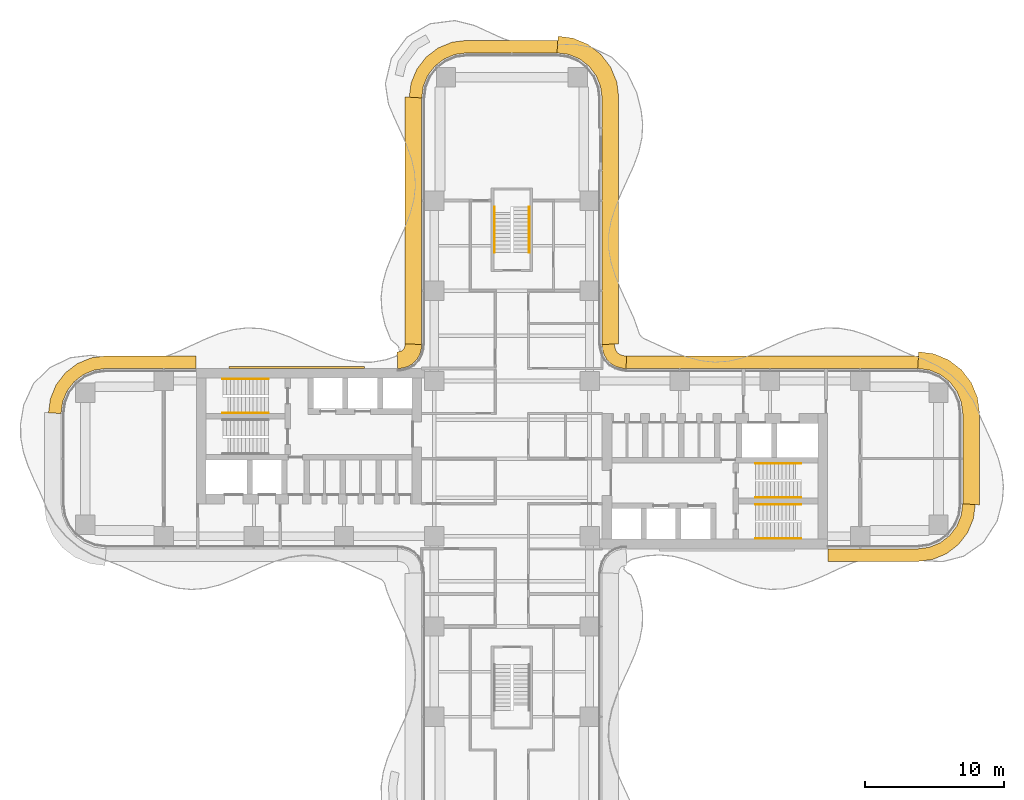
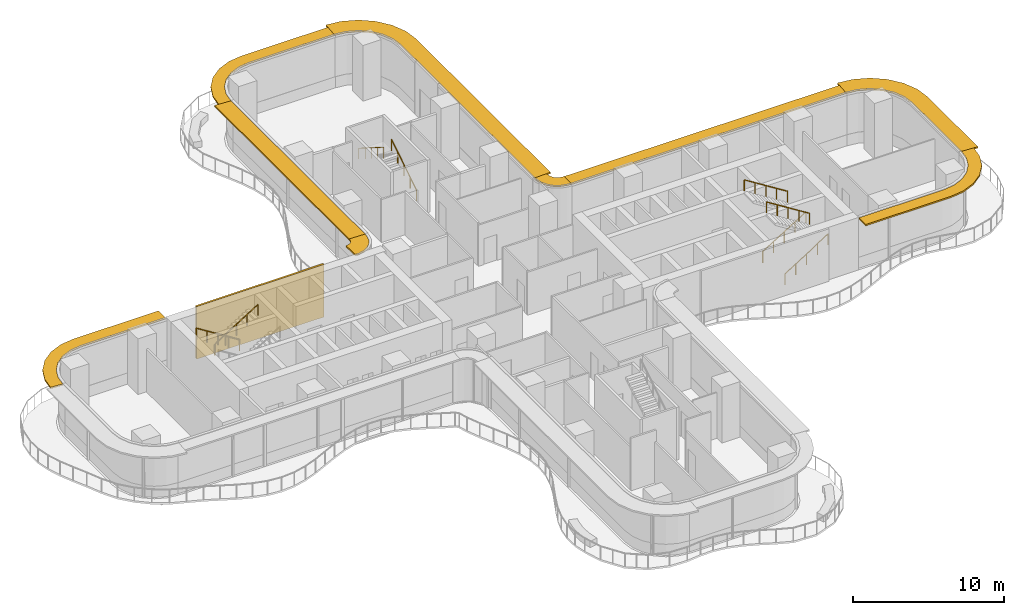
# One storey, part 22 of 22: 9 shading devices, 8 railings, 1 covering.
"""IFC4 building model written with IfcOpenShell, lengths in metres."""

import ifcopenshell
import ifcopenshell.guid

model = None  # the IFC model being written
_history = None  # IfcOwnerHistory: only IFC2X3 demands one
_inside = {}  # id of a spatial element -> (the spatial element, [elements in it])
_under = {}  # id of a project, library or spatial element -> (it, [spatial elements below it])
_declared = {}  # id of a project -> (the project, [libraries it declares])
_typed = {}  # id of a type object -> (the type object, [elements of that type])
_made_of = {}  # id of a material, layer set ... -> (it, [elements and type objects made of it])


def new_model(schema):
    """Start an empty IFC model of exactly this schema.

    Asked for "IFC4X3", IfcOpenShell would pick the latest addendum, in which some entities
    have other attributes; the version numbers below select the first issue.
    IFC2X3 requires an IfcOwnerHistory on every rooted entity: one is made here for all.
    """
    global model, _history
    if schema == "IFC4X3":
        model = ifcopenshell.file(schema_version=(4, 3, 0, 0))
    else:
        model = ifcopenshell.file(schema=schema)
    _inside.clear()
    _under.clear()
    _declared.clear()
    _typed.clear()
    _made_of.clear()
    _history = None
    if model.schema == "IFC2X3":
        org = make("IfcOrganization", Name="unknown")
        user = make(
            "IfcPersonAndOrganization",
            ThePerson=make("IfcPerson", FamilyName="unknown"),
            TheOrganization=org,
        )
        app = make(
            "IfcApplication",
            ApplicationDeveloper=org,
            Version="unknown",
            ApplicationFullName="unknown",
            ApplicationIdentifier="unknown",
        )
        _history = make(
            "IfcOwnerHistory",
            OwningUser=user,
            OwningApplication=app,
            ChangeAction="ADDED",
            CreationDate=0,
        )
    return model


def make(cls, **values):
    """One entity of the class cls with the attributes given. An attribute that is None is left unset."""
    return model.create_entity(
        cls, **{name: value for name, value in values.items() if value is not None}
    )


def rooted(cls, **values):
    """An entity with a GlobalId (a new one), such as an element, a storey or a relation."""
    return make(cls, GlobalId=ifcopenshell.guid.new(), OwnerHistory=_history, **values)


def si_unit(unit_type, name, prefix=None):
    """IfcSIUnit, for example si_unit("LENGTHUNIT", "METRE", prefix="MILLI")."""
    return make("IfcSIUnit", UnitType=unit_type, Prefix=prefix, Name=name)


def assignment(units):
    """IfcUnitAssignment: the units of a project."""
    return None if units is None else make("IfcUnitAssignment", Units=units)


def point(xyz):
    """IfcCartesianPoint."""
    return None if xyz is None else make("IfcCartesianPoint", Coordinates=xyz)


def direction(xyz):
    """IfcDirection."""
    return None if xyz is None else make("IfcDirection", DirectionRatios=xyz)


def frame(location, z_axis=None, x_axis=None):
    """IfcAxis2Placement3D, a coordinate frame: its origin and axes. An axis left out is left unset."""
    return make(
        "IfcAxis2Placement3D",
        Location=point(location),
        Axis=direction(z_axis),
        RefDirection=direction(x_axis),
    )


def frame_2d(location, x_axis=None):
    """IfcAxis2Placement2D, a coordinate frame in the plane: its origin and x axis."""
    return make(
        "IfcAxis2Placement2D", Location=point(location), RefDirection=direction(x_axis)
    )


def origin():
    """The frame at (0, 0, 0) with its axes left unset."""
    return frame((0.0, 0.0, 0.0))


def origin_2d():
    """The frame at (0, 0) in the plane with its x axis left unset."""
    return frame_2d((0.0, 0.0))


def place(relative_to, where):
    """IfcLocalPlacement: puts the frame where relative to a parent placement (None: the world)."""
    return make(
        "IfcLocalPlacement", PlacementRelTo=relative_to, RelativePlacement=where
    )


def context(
    kind, dimensions, precision=None, world=None, true_north=None, identifier=None
):
    """IfcGeometricRepresentationContext, for example the 3D "Model" context."""
    return make(
        "IfcGeometricRepresentationContext",
        ContextIdentifier=identifier,
        ContextType=kind,
        CoordinateSpaceDimension=dimensions,
        Precision=precision,
        WorldCoordinateSystem=world,
        TrueNorth=true_north,
    )


def subcontext(parent, identifier, kind, view, scale=None):
    """IfcGeometricRepresentationSubContext, for example "Body" below "Model"."""
    return make(
        "IfcGeometricRepresentationSubContext",
        ContextIdentifier=identifier,
        ContextType=kind,
        ParentContext=parent,
        TargetScale=scale,
        TargetView=view,
    )


def project(units=None, contexts=None):
    """IfcProject with its units and contexts."""
    return rooted(
        "IfcProject",
        Name="project",
        RepresentationContexts=contexts,
        UnitsInContext=assignment(units),
    )


def spatial(cls, under=None, at=None, **own):
    """A site, building, storey or space (cls), placed at a placement, below another one or the project."""
    s = rooted(cls, ObjectPlacement=at, **own)
    if under is not None:
        _under.setdefault(under.id(), (under, []))[1].append(s)
    return s


def polyline(points):
    """IfcPolyline through the points."""
    return make("IfcPolyline", Points=[point(p) for p in points])


def profile(cls, at=None, kind="AREA", **sizes):
    """A parametric profile (cls). Its sizes go by their IFC names, for example OverallWidth=200.0."""
    return make(cls, ProfileType=kind, Position=at, **sizes)


def circle(**sizes):
    """IfcCircleProfileDef."""
    return profile("IfcCircleProfileDef", **sizes)


def outline(outer, holes=None, kind="AREA"):
    """IfcArbitraryClosedProfileDef: a profile drawn as a closed curve; with holes, ...WithVoids."""
    if holes is None:
        return make("IfcArbitraryClosedProfileDef", ProfileType=kind, OuterCurve=outer)
    return make(
        "IfcArbitraryProfileDefWithVoids",
        ProfileType=kind,
        OuterCurve=outer,
        InnerCurves=holes,
    )


def extrude(swept, where, along, depth):
    """IfcExtrudedAreaSolid: the profile swept, set in the frame where, extruded along a direction by depth."""
    return make(
        "IfcExtrudedAreaSolid",
        SweptArea=swept,
        Position=where,
        ExtrudedDirection=direction(along),
        Depth=depth,
    )


def shape(context_of_items, identifier, shape_type, items):
    """IfcShapeRepresentation: the items that make up one representation, for example the "Body"."""
    return make(
        "IfcShapeRepresentation",
        ContextOfItems=context_of_items,
        RepresentationIdentifier=identifier,
        RepresentationType=shape_type,
        Items=items,
    )


def source(mapping_origin, context_of_items, identifier, shape_type, items):
    """IfcRepresentationMap: a shape defined once, which mapped items show again and again."""
    return make(
        "IfcRepresentationMap",
        MappingOrigin=mapping_origin,
        MappedRepresentation=shape(context_of_items, identifier, shape_type, items),
    )


def transform(
    local_origin,
    x_axis=None,
    y_axis=None,
    z_axis=None,
    scale=None,
    scale2=None,
    scale3=None,
    uniform=True,
):
    """IfcCartesianTransformationOperator3D, or its non-uniform kind. x_axis, y_axis, z_axis: its Axis1, 2, 3."""
    if uniform:
        return make(
            "IfcCartesianTransformationOperator3D",
            Axis1=direction(x_axis),
            Axis2=direction(y_axis),
            LocalOrigin=point(local_origin),
            Scale=scale,
            Axis3=direction(z_axis),
        )
    return make(
        "IfcCartesianTransformationOperator3DnonUniform",
        Axis1=direction(x_axis),
        Axis2=direction(y_axis),
        LocalOrigin=point(local_origin),
        Scale=scale,
        Axis3=direction(z_axis),
        Scale2=scale2,
        Scale3=scale3,
    )


def mapped(mapping_source, mapping_target):
    """IfcMappedItem: shows the shape of a source again, moved by a transform."""
    return make(
        "IfcMappedItem", MappingSource=mapping_source, MappingTarget=mapping_target
    )


def material(Name=None, Category=None):
    """IfcMaterial."""
    return make("IfcMaterial", Name=Name, Category=Category)


def layer(
    of_material, thickness, ventilated=None, Name=None, Category=None, Priority=None
):
    """IfcMaterialLayer: one layer of a wall or slab, of a material (None: an air gap)."""
    return make(
        "IfcMaterialLayer",
        Material=of_material,
        LayerThickness=thickness,
        IsVentilated=ventilated,
        Name=Name,
        Category=Category,
        Priority=Priority,
    )


def layer_set(layers, Name=None):
    """IfcMaterialLayerSet."""
    return make("IfcMaterialLayerSet", MaterialLayers=layers, LayerSetName=Name)


def made_of(thing, what):
    """Note that an element or type object is made of a material, layer set ...; save() writes the relation."""
    if what is not None:
        _made_of.setdefault(what.id(), (what, []))[1].append(thing)
    return thing


def type_object(cls, material=None, **own):
    """A type object (cls), such as IfcWallType, which elements share."""
    return made_of(rooted(cls, **own), material)


def element(
    cls,
    number,
    at=None,
    inside=None,
    cuts=None,
    type_object=None,
    material=None,
    context=None,
    identifier="Body",
    shape_type=None,
    held_by="IfcProductDefinitionShape",
    body=None,
    shapes=None,
    **own,
):
    """One element of the class cls, such as IfcWall. Its Tag is "e" and its number.

    at: its placement. inside: the storey or other place that contains it. cuts: it is an
    opening in that element (IfcRelVoidsElement). A single representation is given by context,
    identifier, shape_type and body (its items); several are given by shapes. held_by: the class
    of the entity that holds the representations. save() writes the other relations.
    """
    e = rooted(cls, Tag="e%d" % number, ObjectPlacement=at, **own)
    if body is not None:
        shapes = [shape(context, identifier, shape_type, body)]
    if shapes is not None:
        e.Representation = make(held_by, Representations=shapes)
    if inside is not None:
        _inside.setdefault(inside.id(), (inside, []))[1].append(e)
    if cuts is not None:
        rooted(
            "IfcRelVoidsElement", RelatingBuildingElement=cuts, RelatedOpeningElement=e
        )
    if type_object is not None:
        _typed.setdefault(type_object.id(), (type_object, []))[1].append(e)
    return made_of(e, material)


def aggregate(whole, parts):
    """IfcRelAggregates: a whole, such as a stair, and the parts it consists of."""
    return rooted("IfcRelAggregates", RelatingObject=whole, RelatedObjects=parts)


def save(model, path):
    """Write the relations noted so far, then the file.

    IfcRelAggregates (storeys below a building ...), IfcRelContainedInSpatialStructure (elements
    in a storey), IfcRelDefinesByType, IfcRelAssociatesMaterial and IfcRelDeclares: one each for
    every whole, place, type object, material and project.
    """
    for whole, parts in _under.values():
        aggregate(whole, parts)
    for where, things in _inside.values():
        rooted(
            "IfcRelContainedInSpatialStructure",
            RelatedElements=things,
            RelatingStructure=where,
        )
    for kind, things in _typed.values():
        rooted("IfcRelDefinesByType", RelatedObjects=things, RelatingType=kind)
    for what, things in _made_of.values():
        rooted("IfcRelAssociatesMaterial", RelatedObjects=things, RelatingMaterial=what)
    for by, libraries in _declared.values():
        rooted("IfcRelDeclares", RelatingContext=by, RelatedDefinitions=libraries)
    model.write(path)


model = new_model("IFC4")

# Units and contexts
model_context = context("Model", 3, precision=1e-05, world=origin(), true_north=direction((0.0, 1.0)))
body_context = subcontext(model_context, "Body", "Model", "MODEL_VIEW")
ifc_project = project(units=[si_unit("LENGTHUNIT", "METRE"), si_unit("AREAUNIT", "SQUARE_METRE"), si_unit("VOLUMEUNIT", "CUBIC_METRE"), si_unit("PLANEANGLEUNIT", "RADIAN"), si_unit("MASSUNIT", "GRAM", prefix="KILO")], contexts=[model_context])

# Site, building, storey
site_placement = place(None, origin())
site = spatial("IfcSite", under=ifc_project, at=site_placement, CompositionType="ELEMENT")
building_placement = place(site_placement, origin())
building = spatial("IfcBuilding", under=site, at=building_placement, Name="Trellis Farm Tower", CompositionType="ELEMENT")
storey_placement = place(building_placement, frame((0.0, 0.0, 47.5)))
storey = spatial("IfcBuildingStorey", under=building, at=storey_placement, Name="L09", CompositionType="ELEMENT", Elevation=47.5)

# Railings
ifc_material_1 = material(Name="Stainless steel", Category="steel")
railing_type = type_object("IfcRailingType", Name="STAIR HANDRAIL 900", PredefinedType="HANDRAIL", material=ifc_material_1)
shared_shape_1 = source(origin(), body_context, "Body", "SweptSolid", [
    extrude(circle(Radius=0.02392578125, at=origin_2d()), frame((0.0, 0.0, 0.8759765625), z_axis=(0.0, 0.846319618018, 0.532675421018), x_axis=(-1.0, 0.0, 0.0)), (0.0, 0.0, 1.0), 3.89892578125),
    extrude(circle(Radius=0.02099609375, at=origin_2d()), origin(), (0.0, 0.0, 1.0), 0.851806640625),
    extrude(circle(Radius=0.02099609375, at=origin_2d()), frame((0.0, 0.824951171875, 0.519287109375)), (0.0, 0.0, 1.0), 0.851806640625),
    extrude(circle(Radius=0.02099609375, at=origin_2d()), frame((0.0, 1.64990234375, 1.03857421875)), (0.0, 0.0, 1.0), 0.851806640625),
    extrude(circle(Radius=0.02099609375, at=origin_2d()), frame((0.0, 2.474853515625, 1.5576171875)), (0.0, 0.0, 1.0), 0.851806640625),
    extrude(circle(Radius=0.02099609375, at=origin_2d()), frame((0.0, 3.2998046875, 2.076904296875)), (0.0, 0.0, 1.0), 0.851806640625),
])
railing_1_placement = place(storey_placement, frame((1.25, 14.85009765625, 0.173095703125)))
element("IfcRailing", 1, at=railing_1_placement, inside=storey, type_object=railing_type, Name="Stair handrail", PredefinedType="HANDRAIL", context=body_context, shape_type="MappedRepresentation", body=[
    mapped(shared_shape_1, transform((0.0, 0.0, 0.0))),
])
shared_shape_2 = source(origin(), body_context, "Body", "SweptSolid", [
    extrude(circle(Radius=0.02392578125, at=origin_2d()), frame((0.0, 0.0, 0.8759765625), z_axis=(0.0, -0.846319618018, 0.532675421018), x_axis=(1.0, 0.0, 0.0)), (0.0, 0.0, 1.0), 3.89892578125),
    extrude(circle(Radius=0.02099609375, at=origin_2d()), origin(), (0.0, 0.0, 1.0), 0.851806640625),
    extrude(circle(Radius=0.02099609375, at=origin_2d()), frame((0.0, -0.824951171875, 0.519287109375)), (0.0, 0.0, 1.0), 0.851806640625),
    extrude(circle(Radius=0.02099609375, at=origin_2d()), frame((0.0, -1.64990234375, 1.03857421875)), (0.0, 0.0, 1.0), 0.851806640625),
    extrude(circle(Radius=0.02099609375, at=origin_2d()), frame((0.0, -2.474853515625, 1.5576171875)), (0.0, 0.0, 1.0), 0.851806640625),
    extrude(circle(Radius=0.02099609375, at=origin_2d()), frame((0.0, -3.2998046875, 2.076904296875)), (0.0, 0.0, 1.0), 0.851806640625),
])
railing_2_placement = place(storey_placement, frame((-1.25, 18.14990234375, 2.423095703125)))
element("IfcRailing", 2, at=railing_2_placement, inside=storey, type_object=railing_type, Name="Stair handrail", PredefinedType="HANDRAIL", context=body_context, shape_type="MappedRepresentation", body=[
    mapped(shared_shape_2, transform((0.0, 0.0, 0.0))),
])
shared_shape_3 = source(origin(), body_context, "Body", "SweptSolid", [
    extrude(circle(Radius=0.02392578125, at=origin_2d()), frame((0.0, 0.0, 0.8759765625), z_axis=(0.846337383501, 0.0, 0.532647194011), x_axis=(0.0, 1.0, 0.0)), (0.0, 0.0, 1.0), 3.899169921875),
    extrude(circle(Radius=0.02099609375, at=origin_2d()), origin(), (0.0, 0.0, 1.0), 0.851806640625),
    extrude(circle(Radius=0.02099609375, at=origin_2d()), frame((0.824951171875, 0.0, 0.519287109375)), (0.0, 0.0, 1.0), 0.851806640625),
    extrude(circle(Radius=0.02099609375, at=origin_2d()), frame((1.64990234375, 0.0, 1.03857421875)), (0.0, 0.0, 1.0), 0.851806640625),
    extrude(circle(Radius=0.02099609375, at=origin_2d()), frame((2.47509765625, 0.0, 1.5576171875)), (0.0, 0.0, 1.0), 0.851806640625),
    extrude(circle(Radius=0.02099609375, at=origin_2d()), frame((3.300048828125, 0.0, 2.076904296875)), (0.0, 0.0, 1.0), 0.851806640625),
])
for number, where, name in (
    (3, (17.550048828125, -5.75, 0.173095703125), "Stair handrail"),
    (4, (17.550048828125, -2.800048828125, 0.173095703125), "Stair handrail"),
    (5, (-20.85009765625, 3.300048828125, 2.423095703125), "Stair handrail"),
):
    element("IfcRailing", number, at=place(storey_placement, frame(where)), inside=storey, type_object=railing_type, Name=name, PredefinedType="HANDRAIL", context=body_context, shape_type="MappedRepresentation", body=[
        mapped(shared_shape_3, transform((0.0, 0.0, 0.0))),
    ])
shared_shape_4 = source(origin(), body_context, "Body", "SweptSolid", [
    extrude(circle(Radius=0.02392578125, at=origin_2d()), frame((0.0, 0.0, 0.8759765625), z_axis=(-0.846337383501, 0.0, 0.532647194011), x_axis=(0.0, -1.0, 0.0)), (0.0, 0.0, 1.0), 3.899169921875),
    extrude(circle(Radius=0.02099609375, at=origin_2d()), origin(), (0.0, 0.0, 1.0), 0.851806640625),
    extrude(circle(Radius=0.02099609375, at=origin_2d()), frame((-0.824951171875, 0.0, 0.519287109375)), (0.0, 0.0, 1.0), 0.851806640625),
    extrude(circle(Radius=0.02099609375, at=origin_2d()), frame((-1.64990234375, 0.0, 1.03857421875)), (0.0, 0.0, 1.0), 0.851806640625),
    extrude(circle(Radius=0.02099609375, at=origin_2d()), frame((-2.47509765625, 0.0, 1.5576171875)), (0.0, 0.0, 1.0), 0.851806640625),
    extrude(circle(Radius=0.02099609375, at=origin_2d()), frame((-3.300048828125, 0.0, 2.076904296875)), (0.0, 0.0, 1.0), 0.851806640625),
])
for number, where, name in (
    (6, (20.85009765625, -3.300048828125, 2.423095703125), "Stair handrail"),
    (7, (20.85009765625, -0.35009765625, 2.423095703125), "Stair handrail"),
    (8, (-17.550048828125, 5.75, 0.173095703125), "Stair handrail"),
):
    element("IfcRailing", number, at=place(storey_placement, frame(where)), inside=storey, type_object=railing_type, Name=name, PredefinedType="HANDRAIL", context=body_context, shape_type="MappedRepresentation", body=[
        mapped(shared_shape_4, transform((0.0, 0.0, 0.0))),
    ])

# Shading devices
ifc_material_2 = material(Name="Aluminium extrusion 6063-T6", Category="aluminium")
ifc_layer_1 = layer(ifc_material_2, 0.1201171875)
ifc_layer_set_1 = layer_set([ifc_layer_1], Name="SUNSHADE BLADE 900")
shading_device_type_1 = type_object("IfcShadingDeviceType", Name="SUNSHADE BLADE 900", PredefinedType="USERDEFINED", material=ifc_layer_set_1)
shared_shape_5 = source(origin(), body_context, "Body", "SweptSolid", [
    extrude(outline(polyline([(22.780029296875, -7.39990234375), (29.30908203125, -7.39990234375), (30.326171875, -7.26611328125), (31.328857421875, -6.850830078125), (32.18994140625, -6.18994140625), (32.850830078125, -5.328857421875), (33.26611328125, -4.326171875), (33.39990234375, -3.30908203125), (32.5, -3.25), (32.38916015625, -4.091064453125), (32.064697265625, -4.875), (31.548095703125, -5.548095703125), (30.875, -6.064697265625), (30.091064453125, -6.38916015625), (29.25, -6.5), (22.780029296875, -6.5), (22.780029296875, -7.39990234375)])), origin(), (0.0, 0.0, 1.0), 0.119873046875),
])
placement = place(storey_placement, frame((0.0, 0.0, 4.090087890625)))
element("IfcShadingDevice", 9, at=placement, inside=storey, type_object=shading_device_type_1, Name="SD1 007", ObjectType="SUNSHADE", PredefinedType="USERDEFINED", context=body_context, shape_type="MappedRepresentation", body=[
    mapped(shared_shape_5, transform((0.0, 0.0, 0.0))),
])
ifc_layer_2 = layer(ifc_material_2, 0.1201171875)
ifc_layer_set_2 = layer_set([ifc_layer_2], Name="SUNSHADE BLADE 1200")
shading_device_type_2 = type_object("IfcShadingDeviceType", Name="SUNSHADE BLADE 1200", PredefinedType="USERDEFINED", material=ifc_layer_set_2)
shared_shape_6 = source(origin(), body_context, "Body", "SweptSolid", [
    extrude(outline(polyline([(33.699951171875, -3.32861328125), (33.699951171875, 3.32861328125), (33.558349609375, 4.404541015625), (33.11279296875, 5.480224609375), (32.404052734375, 6.404052734375), (31.480224609375, 7.11279296875), (30.404541015625, 7.558349609375), (29.32861328125, 7.699951171875), (29.25, 6.5), (30.091064453125, 6.38916015625), (30.875, 6.064697265625), (31.548095703125, 5.548095703125), (32.064697265625, 4.875), (32.38916015625, 4.091064453125), (32.5, 3.25), (32.5, -3.25), (33.699951171875, -3.32861328125)])), origin(), (0.0, 0.0, 1.0), 0.119873046875),
])
element("IfcShadingDevice", 10, at=placement, inside=storey, type_object=shading_device_type_2, Name="SD2 008", ObjectType="SUNSHADE", PredefinedType="USERDEFINED", context=body_context, shape_type="MappedRepresentation", body=[
    mapped(shared_shape_6, transform((0.0, 0.0, 0.0))),
])
shared_shape_7 = source(origin(), body_context, "Body", "SweptSolid", [
    extrude(outline(polyline([(29.30908203125, 7.39990234375), (8.2607421875, 7.39990234375), (8.2314453125, 6.5), (29.25, 6.5), (29.30908203125, 7.39990234375)])), origin(), (0.0, 0.0, 1.0), 0.119873046875),
])
element("IfcShadingDevice", 11, at=placement, inside=storey, type_object=shading_device_type_1, Name="SD1 009", ObjectType="SUNSHADE", PredefinedType="USERDEFINED", context=body_context, shape_type="MappedRepresentation", body=[
    mapped(shared_shape_7, transform((0.0, 0.0, 0.0))),
])
shared_shape_8 = source(origin(), body_context, "Body", "SweptSolid", [
    extrude(outline(polyline([(8.2607421875, 7.39990234375), (8.107666015625, 7.409912109375), (8.091552734375, 7.412109375), (7.85595703125, 7.475341796875), (7.697021484375, 7.567138671875), (7.567138671875, 7.697021484375), (7.475341796875, 7.85595703125), (7.412109375, 8.091552734375), (7.409912109375, 8.107666015625), (7.39990234375, 8.2607421875), (6.5, 8.2314453125), (6.513916015625, 8.01953125), (6.527587890625, 7.91552734375), (6.63671875, 7.508544921875), (6.846923828125, 7.144287109375), (7.144287109375, 6.846923828125), (7.508544921875, 6.63671875), (7.91552734375, 6.527587890625), (8.01953125, 6.513916015625), (8.2314453125, 6.5), (8.2607421875, 7.39990234375)])), origin(), (0.0, 0.0, 1.0), 0.119873046875),
])
element("IfcShadingDevice", 12, at=placement, inside=storey, type_object=shading_device_type_1, Name="SD1 010", ObjectType="SUNSHADE", PredefinedType="USERDEFINED", context=body_context, shape_type="MappedRepresentation", body=[
    mapped(shared_shape_8, transform((0.0, 0.0, 0.0))),
])
shared_shape_9 = source(origin(), body_context, "Body", "SweptSolid", [
    extrude(outline(polyline([(7.699951171875, 8.270751953125), (7.699951171875, 26.07861328125), (7.558349609375, 27.154541015625), (7.11279296875, 28.230224609375), (6.404052734375, 29.154052734375), (5.480224609375, 29.86279296875), (4.404541015625, 30.308349609375), (3.32861328125, 30.449951171875), (3.25, 29.25), (4.091064453125, 29.13916015625), (4.875, 28.814697265625), (5.548095703125, 28.298095703125), (6.064697265625, 27.625), (6.38916015625, 26.841064453125), (6.5, 26.0), (6.5, 8.2314453125), (7.699951171875, 8.270751953125)])), origin(), (0.0, 0.0, 1.0), 0.119873046875),
])
element("IfcShadingDevice", 13, at=placement, inside=storey, type_object=shading_device_type_2, Name="SD2 011", ObjectType="SUNSHADE", PredefinedType="USERDEFINED", context=body_context, shape_type="MappedRepresentation", body=[
    mapped(shared_shape_9, transform((0.0, 0.0, 0.0))),
])
shared_shape_10 = source(origin(), body_context, "Body", "SweptSolid", [
    extrude(outline(polyline([(3.30908203125, 30.14990234375), (-3.30908203125, 30.14990234375), (-4.326171875, 30.01611328125), (-5.328857421875, 29.600830078125), (-6.18994140625, 28.93994140625), (-6.850830078125, 28.078857421875), (-7.26611328125, 27.076171875), (-7.39990234375, 26.05908203125), (-6.5, 26.0), (-6.38916015625, 26.841064453125), (-6.064697265625, 27.625), (-5.548095703125, 28.298095703125), (-4.875, 28.814697265625), (-4.091064453125, 29.13916015625), (-3.25, 29.25), (3.25, 29.25), (3.30908203125, 30.14990234375)])), origin(), (0.0, 0.0, 1.0), 0.119873046875),
])
element("IfcShadingDevice", 14, at=placement, inside=storey, type_object=shading_device_type_1, Name="SD1 012", ObjectType="SUNSHADE", PredefinedType="USERDEFINED", context=body_context, shape_type="MappedRepresentation", body=[
    mapped(shared_shape_10, transform((0.0, 0.0, 0.0))),
])
shared_shape_11 = source(origin(), body_context, "Body", "SweptSolid", [
    extrude(outline(polyline([(-7.699951171875, 26.07861328125), (-7.699951171875, 8.270751953125), (-6.5, 8.2314453125), (-6.5, 26.0), (-7.699951171875, 26.07861328125)])), origin(), (0.0, 0.0, 1.0), 0.119873046875),
])
element("IfcShadingDevice", 15, at=placement, inside=storey, type_object=shading_device_type_2, Name="SD2 013", ObjectType="SUNSHADE", PredefinedType="USERDEFINED", context=body_context, shape_type="MappedRepresentation", body=[
    mapped(shared_shape_11, transform((0.0, 0.0, 0.0))),
])
shared_shape_12 = source(origin(), body_context, "Body", "SweptSolid", [
    extrude(outline(polyline([(-7.699951171875, 8.270751953125), (-7.708740234375, 8.13720703125), (-7.70703125, 8.150146484375), (-7.7548828125, 7.9716796875), (-7.80712890625, 7.881103515625), (-7.881103515625, 7.80712890625), (-7.9716796875, 7.7548828125), (-8.150146484375, 7.70703125), (-8.13720703125, 7.708740234375), (-8.270751953125, 7.699951171875), (-8.2314453125, 6.5), (-8.01953125, 6.513916015625), (-7.91552734375, 6.527587890625), (-7.508544921875, 6.63671875), (-7.144287109375, 6.846923828125), (-6.846923828125, 7.144287109375), (-6.63671875, 7.508544921875), (-6.527587890625, 7.91552734375), (-6.513916015625, 8.01953125), (-6.5, 8.2314453125), (-7.699951171875, 8.270751953125)])), origin(), (0.0, 0.0, 1.0), 0.119873046875),
])
element("IfcShadingDevice", 16, at=placement, inside=storey, type_object=shading_device_type_2, Name="SD2 014", ObjectType="SUNSHADE", PredefinedType="USERDEFINED", context=body_context, shape_type="MappedRepresentation", body=[
    mapped(shared_shape_12, transform((0.0, 0.0, 0.0))),
])
shared_shape_13 = source(origin(), body_context, "Body", "SweptSolid", [
    extrude(outline(polyline([(-22.780029296875, 7.39990234375), (-29.30908203125, 7.39990234375), (-30.326171875, 7.26611328125), (-31.328857421875, 6.850830078125), (-32.18994140625, 6.18994140625), (-32.850830078125, 5.328857421875), (-33.26611328125, 4.326171875), (-33.39990234375, 3.30908203125), (-32.5, 3.25), (-32.38916015625, 4.091064453125), (-32.064697265625, 4.875), (-31.548095703125, 5.548095703125), (-30.875, 6.064697265625), (-30.091064453125, 6.38916015625), (-29.25, 6.5), (-22.780029296875, 6.5), (-22.780029296875, 7.39990234375)])), origin(), (0.0, 0.0, 1.0), 0.119873046875),
])
element("IfcShadingDevice", 17, at=placement, inside=storey, type_object=shading_device_type_1, Name="SD1 015", ObjectType="SUNSHADE", PredefinedType="USERDEFINED", context=body_context, shape_type="MappedRepresentation", body=[
    mapped(shared_shape_13, transform((0.0, 0.0, 0.0))),
])

# Covering
ifc_material_3 = material(Name="Perforated precast screen (cobogo)", Category="concrete")
ifc_layer_3 = layer(ifc_material_3, 0.14990234375)
ifc_layer_set_3 = layer_set([ifc_layer_3], Name="COBOGO SCREEN PANEL")
covering_type = type_object("IfcCoveringType", Name="COBOGO SCREEN PANEL", PredefinedType="USERDEFINED", material=ifc_layer_set_3)
shared_shape_14 = source(origin(), body_context, "Body", "SweptSolid", [
    extrude(outline(polyline([(-10.630615234375, 6.64990234375), (-20.380615234375, 6.64990234375), (-20.380615234375, 6.5), (-10.630615234375, 6.5), (-10.630615234375, 6.64990234375)])), origin(), (0.0, 0.0, 1.0), 4.25),
])
covering_placement = place(storey_placement, origin())
element("IfcCovering", 18, at=covering_placement, inside=storey, type_object=covering_type, Name="SC1 02", ObjectType="SCREEN", PredefinedType="USERDEFINED", context=body_context, shape_type="MappedRepresentation", body=[
    mapped(shared_shape_14, transform((0.0, 0.0, 0.0))),
])

save(model, "model.ifc")
